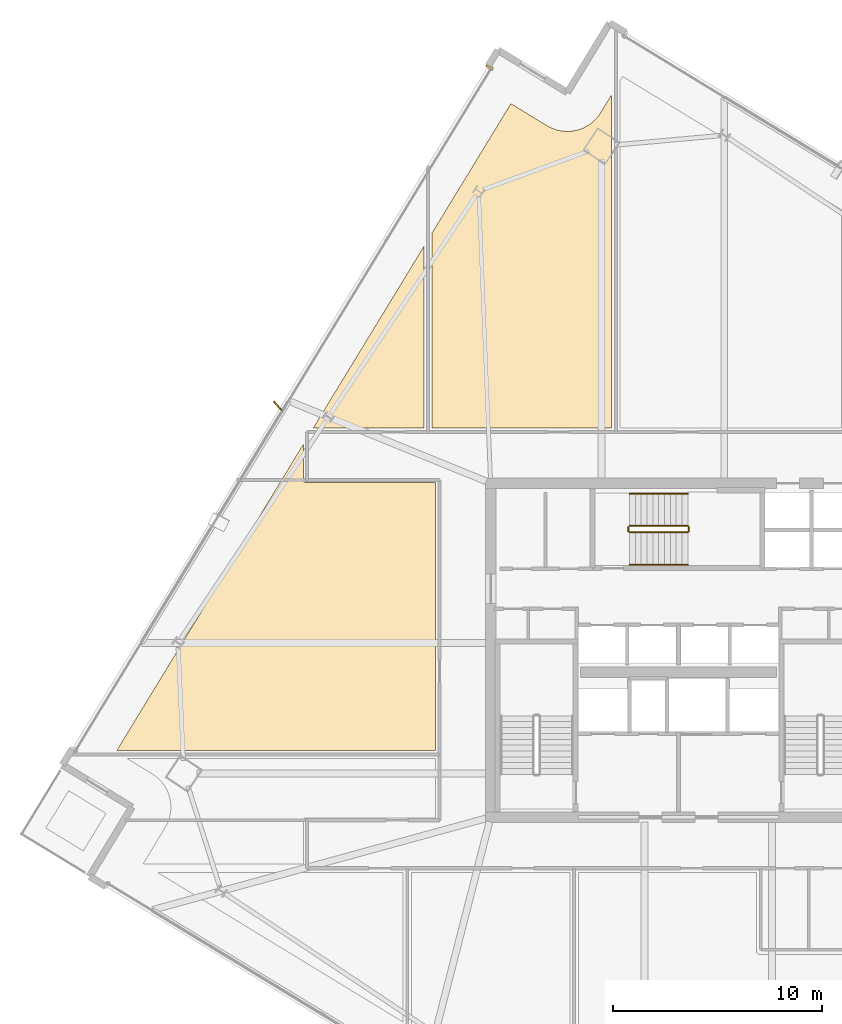
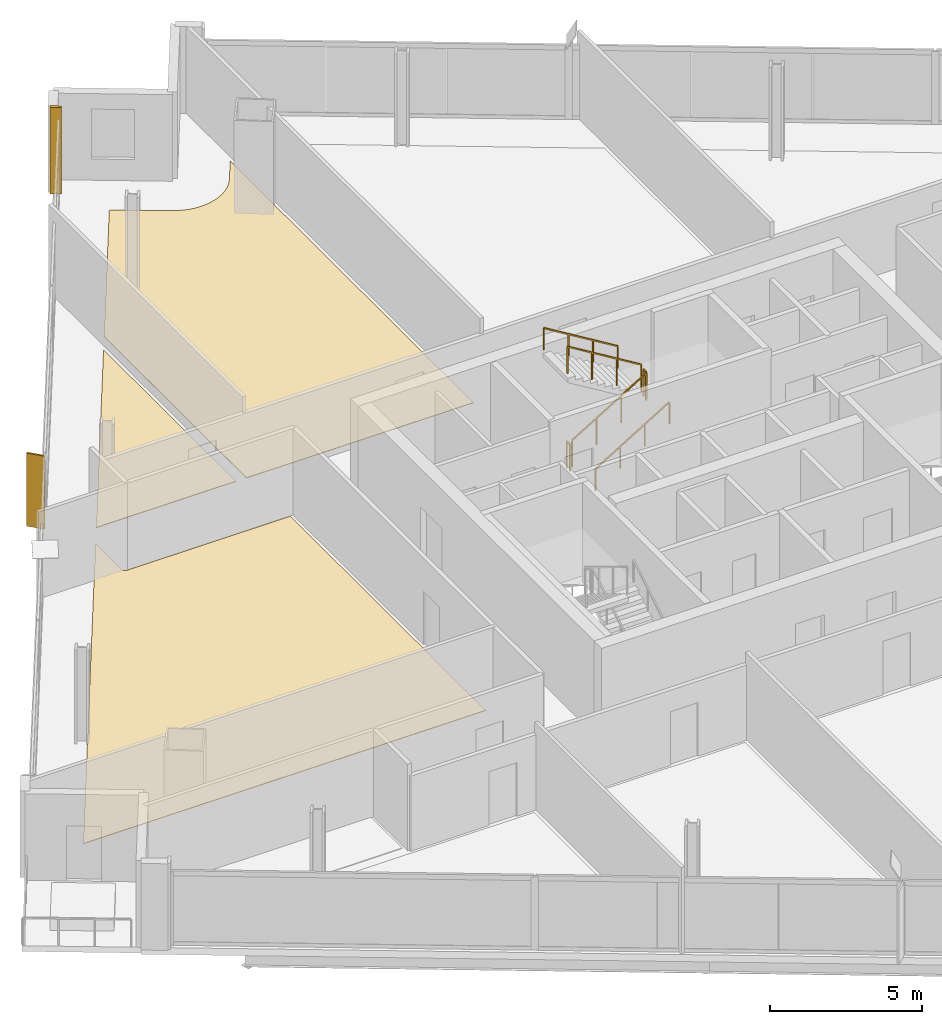
# One storey, part 27 of 28: 6 railings, 4 coverings, 1 shading device.
"""IFC4 building model written with IfcOpenShell, lengths in metres."""

from ifc_helpers import new_model, si_unit, direction, frame, origin, origin_2d, place, context, subcontext, project, spatial, polyline, rectangle, outline, extrude, source, transform, mapped, material, layer, layer_set, type_object, element, save


model = new_model("IFC4")

# Units and contexts
model_context = context("Model", 3, precision=1e-05, world=origin(), true_north=direction((0.0, 1.0)))
body_context = subcontext(model_context, "Body", "Model", "MODEL_VIEW")
ifc_project = project(units=[si_unit("LENGTHUNIT", "METRE"), si_unit("AREAUNIT", "SQUARE_METRE"), si_unit("VOLUMEUNIT", "CUBIC_METRE"), si_unit("PLANEANGLEUNIT", "RADIAN"), si_unit("MASSUNIT", "GRAM", prefix="KILO")], contexts=[model_context])

# Site, building, storey
site_placement = place(None, origin())
site = spatial("IfcSite", under=ifc_project, at=site_placement, CompositionType="ELEMENT")
building_placement = place(site_placement, origin())
building = spatial("IfcBuilding", under=site, at=building_placement, Name="Haldenkirk Collegiate Tower", CompositionType="ELEMENT")
storey_placement = place(building_placement, frame((0.0, 0.0, 224.699951171875)))
storey = spatial("IfcBuildingStorey", under=building, at=storey_placement, Name="L56", CompositionType="ELEMENT", Elevation=224.699951171875)

# Coverings
ifc_material_1 = material(Name="Polished collegiate terrazzo", Category="concrete")
ifc_layer_1 = layer(ifc_material_1, 0.02490234375)
ifc_layer_set_1 = layer_set([ifc_layer_1], Name="Polished collegiate terrazzo")
covering_type_1 = type_object("IfcCoveringType", Name="COV-FLOOR-TERRAZZO", PredefinedType="FLOORING", material=ifc_layer_set_1)
covering_1_placement = place(storey_placement, origin())
element("IfcCovering", 1, at=covering_1_placement, inside=storey, type_object=covering_type_1, Name="L56 academic room finish 04", PredefinedType="FLOORING", context=body_context, shape_type="SweptSolid", body=[
    extrude(outline(polyline([(23.800048828125, 45.33837890625), (23.800048828125, 36.64990234375), (18.5068359375, 36.64990234375), (23.800048828125, 45.33837890625)])), origin(), (0.0, 0.0, 1.0), 0.025146484375),
])
ifc_material_2 = material(Name="Engineered collegiate oak acoustic flooring", Category="wood")
ifc_layer_2 = layer(ifc_material_2, 0.02197265625)
ifc_layer_set_2 = layer_set([ifc_layer_2], Name="Engineered collegiate oak acoustic flooring")
covering_type_2 = type_object("IfcCoveringType", Name="COV-FLOOR-TIMBER", PredefinedType="FLOORING", material=ifc_layer_set_2)
covering_2_placement = place(storey_placement, origin())
element("IfcCovering", 2, at=covering_2_placement, inside=storey, type_object=covering_type_2, Name="L56 academic room finish 05", PredefinedType="FLOORING", context=body_context, shape_type="SweptSolid", body=[
    extrude(outline(polyline([(27.968505859375, 52.180908203125), (29.701904296875, 51.124755859375), (29.70703125, 51.121826171875), (29.85791015625, 51.039794921875), (29.86865234375, 51.03466796875), (30.02685546875, 50.9677734375), (30.037841796875, 50.963623046875), (30.201904296875, 50.91259765625), (30.21337890625, 50.90966796875), (30.381591796875, 50.875), (30.39306640625, 50.873291015625), (30.56396484375, 50.855224609375), (30.57568359375, 50.8544921875), (30.747314453125, 50.853271484375), (30.759033203125, 50.853759765625), (30.93017578125, 50.869384765625), (30.94189453125, 50.870849609375), (31.110595703125, 50.9033203125), (31.121826171875, 50.906005859375), (31.28662109375, 50.95458984375), (31.297607421875, 50.95849609375), (31.456787109375, 51.023193359375), (31.467529296875, 51.028076171875), (31.61962890625, 51.10791015625), (31.6298828125, 51.114013671875), (31.773193359375, 51.20849609375), (31.78271484375, 51.21533203125), (31.916259765625, 51.3232421875), (31.925048828125, 51.331298828125), (32.04736328125, 51.451904296875), (32.055419921875, 51.46044921875), (32.165283203125, 51.59228515625), (32.17236328125, 51.601806640625), (32.268798828125, 51.743896484375), (32.27197265625, 51.748779296875), (32.800048828125, 52.61572265625), (32.800048828125, 36.64990234375), (24.199951171875, 36.64990234375), (24.199951171875, 45.9951171875), (27.968505859375, 52.180908203125)])), origin(), (0.0, 0.0, 1.0), 0.02197265625),
])
covering_3_placement = place(storey_placement, origin())
element("IfcCovering", 3, at=covering_3_placement, inside=storey, type_object=covering_type_2, Name="L56 academic room finish 09", PredefinedType="FLOORING", context=body_context, shape_type="SweptSolid", body=[
    extrude(outline(polyline([(9.0947265625, 21.199951171875), (18.030029296875, 35.8671875), (18.030029296875, 34.14990234375), (18.030517578125, 34.13818359375), (18.0322265625, 34.126708984375), (18.03515625, 34.115234375), (18.0390625, 34.10400390625), (18.044189453125, 34.093505859375), (18.05029296875, 34.083251953125), (18.05712890625, 34.073974609375), (18.065185546875, 34.065185546875), (18.073974609375, 34.05712890625), (18.083251953125, 34.05029296875), (18.093505859375, 34.044189453125), (18.10400390625, 34.0390625), (18.115234375, 34.03515625), (18.126708984375, 34.0322265625), (18.13818359375, 34.030517578125), (18.14990234375, 34.030029296875), (24.35009765625, 34.030029296875), (24.35009765625, 21.199951171875), (9.0947265625, 21.199951171875)])), origin(), (0.0, 0.0, 1.0), 0.02197265625),
])

# Railings
ifc_material_3 = material(Name="Painted architectural tubular steel", Category="steel")
railing_type_1 = type_object("IfcRailingType", Name="RLG-STAIR-GUARD-1100", PredefinedType="BALUSTRADE", material=ifc_material_3)
railing_1_placement = place(storey_placement, frame((33.64990234375, 31.64990234375, 0.17041015625)))
element("IfcRailing", 4, at=railing_1_placement, inside=storey, type_object=railing_type_1, Name="L56 ST-3 stair guard 1", PredefinedType="BALUSTRADE", context=body_context, shape_type="SweptSolid", body=[
    extrude(rectangle(XDim=0.048095703125, YDim=0.048095703125, at=origin_2d()), frame((0.0, 0.0, 1.076171875), z_axis=(0.854169791009, 0.0, 0.51999420009), x_axis=(0.0, 1.0, 0.0)), (0.0, 0.0, 1.0), 3.278076171875),
    extrude(rectangle(XDim=0.0419921875, YDim=0.0419921875, at=origin_2d()), origin(), (0.0, 0.0, 1.0), 1.052001953125),
    extrude(rectangle(XDim=0.0419921875, YDim=0.0419921875, at=origin_2d()), frame((0.933349609375, 0.0, 0.568115234375)), (0.0, 0.0, 1.0), 1.052001953125),
    extrude(rectangle(XDim=0.0419921875, YDim=0.0419921875, at=origin_2d()), frame((1.86669921875, 0.0, 1.136474609375)), (0.0, 0.0, 1.0), 1.052001953125),
    extrude(rectangle(XDim=0.0419921875, YDim=0.0419921875, at=origin_2d()), frame((2.800048828125, 0.0, 1.70458984375)), (0.0, 0.0, 1.0), 1.052001953125),
])
railing_2_placement = place(storey_placement, frame((36.5, 31.699951171875, 1.875)))
element("IfcRailing", 5, at=railing_2_placement, inside=storey, type_object=railing_type_1, Name="L56 ST-3 stair guard 2", PredefinedType="BALUSTRADE", context=body_context, shape_type="SweptSolid", body=[
    extrude(rectangle(XDim=0.048095703125, YDim=0.048095703125, at=origin_2d()), frame((0.0, 0.0, 1.076171875), z_axis=(0.0, 1.0, 0.0), x_axis=(-1.0, 0.0, 0.0)), (0.0, 0.0, 1.0), 0.199951171875),
    extrude(rectangle(XDim=0.0419921875, YDim=0.0419921875, at=origin_2d()), origin(), (0.0, 0.0, 1.0), 1.052001953125),
    extrude(rectangle(XDim=0.0419921875, YDim=0.0419921875, at=origin_2d()), frame((0.0, 0.199951171875, 0.0)), (0.0, 0.0, 1.0), 1.052001953125),
])
railing_3_placement = place(storey_placement, frame((36.449951171875, 31.949951171875, 2.04541015625)))
element("IfcRailing", 6, at=railing_3_placement, inside=storey, type_object=railing_type_1, Name="L56 ST-3 stair guard 3", PredefinedType="BALUSTRADE", context=body_context, shape_type="SweptSolid", body=[
    extrude(rectangle(XDim=0.048095703125, YDim=0.048095703125, at=origin_2d()), frame((0.0, 0.0, 1.076171875), z_axis=(-0.854169791009, 0.0, 0.51999420009), x_axis=(0.0, -1.0, 0.0)), (0.0, 0.0, 1.0), 3.278076171875),
    extrude(rectangle(XDim=0.0419921875, YDim=0.0419921875, at=origin_2d()), origin(), (0.0, 0.0, 1.0), 1.052001953125),
    extrude(rectangle(XDim=0.0419921875, YDim=0.0419921875, at=origin_2d()), frame((-0.933349609375, 0.0, 0.568115234375)), (0.0, 0.0, 1.0), 1.052001953125),
    extrude(rectangle(XDim=0.0419921875, YDim=0.0419921875, at=origin_2d()), frame((-1.86669921875, 0.0, 1.136474609375)), (0.0, 0.0, 1.0), 1.052001953125),
    extrude(rectangle(XDim=0.0419921875, YDim=0.0419921875, at=origin_2d()), frame((-2.800048828125, 0.0, 1.70458984375)), (0.0, 0.0, 1.0), 1.052001953125),
])
railing_4_placement = place(storey_placement, frame((33.60009765625, 31.699951171875, 0.0)))
element("IfcRailing", 7, at=railing_4_placement, inside=storey, type_object=railing_type_1, Name="L56 ST-3 stair guard 4", PredefinedType="BALUSTRADE", context=body_context, shape_type="SweptSolid", body=[
    extrude(rectangle(XDim=0.048095703125, YDim=0.048095703125, at=origin_2d()), frame((0.0, 0.0, 1.076171875), z_axis=(0.0, 1.0, 0.0), x_axis=(-1.0, 0.0, 0.0)), (0.0, 0.0, 1.0), 0.199951171875),
    extrude(rectangle(XDim=0.0419921875, YDim=0.0419921875, at=origin_2d()), origin(), (0.0, 0.0, 1.0), 1.052001953125),
    extrude(rectangle(XDim=0.0419921875, YDim=0.0419921875, at=origin_2d()), frame((0.0, 0.199951171875, 0.0)), (0.0, 0.0, 1.0), 1.052001953125),
])
railing_type_2 = type_object("IfcRailingType", Name="RLG-STAIR-HANDRAIL-900", PredefinedType="HANDRAIL", material=ifc_material_3)
railing_5_placement = place(storey_placement, frame((33.64990234375, 30.10009765625, 0.17041015625)))
element("IfcRailing", 8, at=railing_5_placement, inside=storey, type_object=railing_type_2, Name="L56 ST-3 stair handrail 1", PredefinedType="HANDRAIL", context=body_context, shape_type="SweptSolid", body=[
    extrude(rectangle(XDim=0.048095703125, YDim=0.048095703125, at=origin_2d()), frame((0.0, 0.0, 0.8759765625), z_axis=(0.854169791009, 0.0, 0.51999420009), x_axis=(0.0, 1.0, 0.0)), (0.0, 0.0, 1.0), 3.278076171875),
    extrude(rectangle(XDim=0.0419921875, YDim=0.0419921875, at=origin_2d()), origin(), (0.0, 0.0, 1.0), 0.851806640625),
    extrude(rectangle(XDim=0.0419921875, YDim=0.0419921875, at=origin_2d()), frame((0.933349609375, 0.0, 0.568115234375)), (0.0, 0.0, 1.0), 0.851806640625),
    extrude(rectangle(XDim=0.0419921875, YDim=0.0419921875, at=origin_2d()), frame((1.86669921875, 0.0, 1.136474609375)), (0.0, 0.0, 1.0), 0.851806640625),
    extrude(rectangle(XDim=0.0419921875, YDim=0.0419921875, at=origin_2d()), frame((2.800048828125, 0.0, 1.70458984375)), (0.0, 0.0, 1.0), 0.851806640625),
])
railing_6_placement = place(storey_placement, frame((36.449951171875, 33.5, 2.04541015625)))
element("IfcRailing", 9, at=railing_6_placement, inside=storey, type_object=railing_type_2, Name="L56 ST-3 stair handrail 2", PredefinedType="HANDRAIL", context=body_context, shape_type="SweptSolid", body=[
    extrude(rectangle(XDim=0.048095703125, YDim=0.048095703125, at=origin_2d()), frame((0.0, 0.0, 0.8759765625), z_axis=(-0.854169791009, 0.0, 0.51999420009), x_axis=(0.0, -1.0, 0.0)), (0.0, 0.0, 1.0), 3.278076171875),
    extrude(rectangle(XDim=0.0419921875, YDim=0.0419921875, at=origin_2d()), origin(), (0.0, 0.0, 1.0), 0.851806640625),
    extrude(rectangle(XDim=0.0419921875, YDim=0.0419921875, at=origin_2d()), frame((-0.933349609375, 0.0, 0.568115234375)), (0.0, 0.0, 1.0), 0.851806640625),
    extrude(rectangle(XDim=0.0419921875, YDim=0.0419921875, at=origin_2d()), frame((-1.86669921875, 0.0, 1.136474609375)), (0.0, 0.0, 1.0), 0.851806640625),
    extrude(rectangle(XDim=0.0419921875, YDim=0.0419921875, at=origin_2d()), frame((-2.800048828125, 0.0, 1.70458984375)), (0.0, 0.0, 1.0), 0.851806640625),
])

# Covering
ifc_material_4 = material(Name="Anodised architectural bronze aluminium", Category="aluminium")
ifc_layer_3 = layer(ifc_material_4, 0.06005859375)
ifc_layer_set_3 = layer_set([ifc_layer_3], Name="Anodised architectural bronze aluminium")
covering_type_3 = type_object("IfcCoveringType", Name="COV-CLAD-BRONZE-60", PredefinedType="CLADDING", material=ifc_layer_set_3)
shared_shape_1 = source(origin(), body_context, "Body", "SweptSolid", [
    extrude(rectangle(XDim=0.10009765625, YDim=0.3798828125, at=origin_2d()), origin(), (0.0, 0.0, 1.0), 3.469970703125),
])
covering_4_placement = place(storey_placement, frame((26.9375, 53.90966796875, 0.0), z_axis=(0.0, 0.0, 1.0), x_axis=(0.520264569962, 0.854005138885, 0.0)))
element("IfcCovering", 10, at=covering_4_placement, inside=storey, type_object=covering_type_3, Name="L56 recessed curtain-wall bronze jamb closure NJR", PredefinedType="CLADDING", context=body_context, shape_type="MappedRepresentation", body=[
    mapped(shared_shape_1, transform((0.0, 0.0, 0.0), x_axis=(1.0, 0.0, 0.0), y_axis=(0.0, 1.0, 0.0), z_axis=(0.0, 0.0, 1.0), scale=1.0)),
])

# Shading device
ifc_layer_4 = layer(ifc_material_4, 0.06494140625)
ifc_layer_set_4 = layer_set([ifc_layer_4], Name="Anodised architectural bronze aluminium")
shading_device_type = type_object("IfcShadingDeviceType", Name="SHD-FIN-BRONZE-620", PredefinedType="USERDEFINED", material=ifc_layer_set_4)
shared_shape_2 = source(origin(), body_context, "Body", "SweptSolid", [
    extrude(rectangle(XDim=0.6201171875, YDim=0.06494140625, at=origin_2d()), origin(), (0.0, 0.0, 1.0), 2.927978515625),
])
shading_device_placement = place(storey_placement, frame((16.814697265625, 37.687744140625, 0.0), z_axis=(0.0, 0.0, 1.0), x_axis=(-0.677518077755, 0.735506121195, 0.0)))
element("IfcShadingDevice", 11, at=shading_device_placement, inside=storey, type_object=shading_device_type, Name="L56 folded bronze solar fin 1", ObjectType="FIN", PredefinedType="USERDEFINED", context=body_context, shape_type="MappedRepresentation", body=[
    mapped(shared_shape_2, transform((0.0, 0.0, 0.0), x_axis=(1.0, 0.0, 0.0), y_axis=(0.0, 1.0, 0.0), z_axis=(0.0, 0.0, 1.0), scale=1.0)),
])

save(model, "model.ifc")
